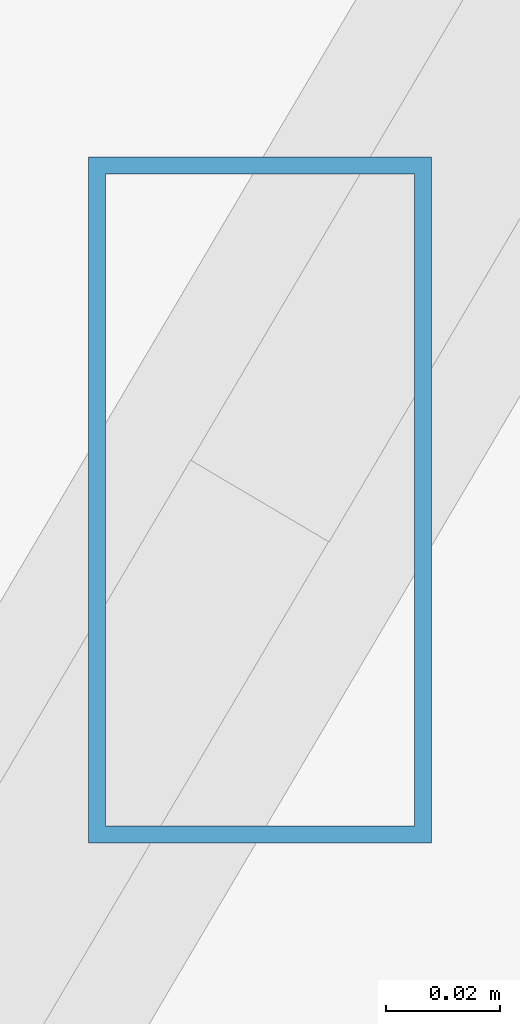
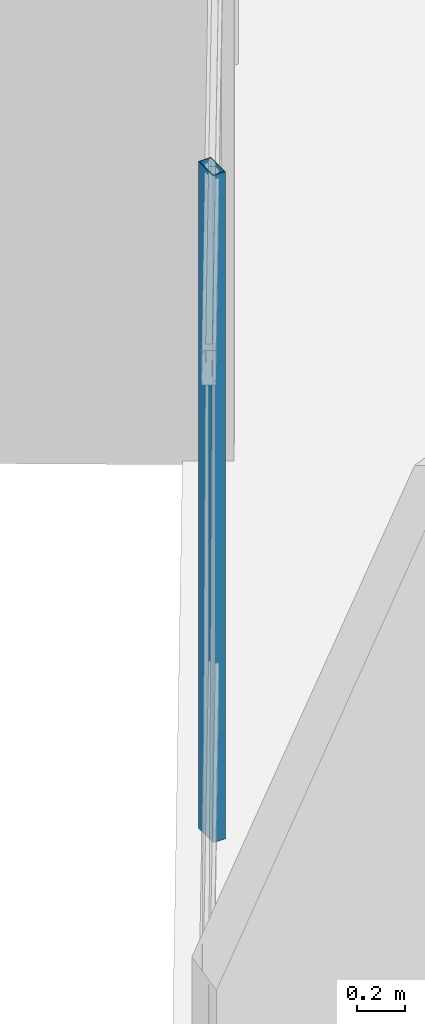
# One storey, part 7 of 47: 1 member, 1 element without a shape of its own.
"""IFC4 building model written with IfcOpenShell, lengths in metres."""

from ifc_helpers import new_model, si_unit, direction, frame, origin, origin_2d, place, context, subcontext, project, spatial, hollow_rectangle, extrude, source, transform, mapped, material, material_profile, profile_set, type_object, type_shapes, element, aggregate, save


model = new_model("IFC4")

# Units and contexts
model_context = context("Model", 3, precision=1e-05, world=origin(), true_north=direction((0.0, 1.0)))
body_context = subcontext(model_context, "Body", "Model", "MODEL_VIEW")
ifc_project = project(units=[si_unit("LENGTHUNIT", "METRE"), si_unit("AREAUNIT", "SQUARE_METRE"), si_unit("VOLUMEUNIT", "CUBIC_METRE"), si_unit("PLANEANGLEUNIT", "RADIAN"), si_unit("MASSUNIT", "GRAM", prefix="KILO")], contexts=[model_context])

# Site, building, storey
site_placement = place(None, origin())
site = spatial("IfcSite", under=ifc_project, at=site_placement, CompositionType="ELEMENT")
building_placement = place(site_placement, origin())
building = spatial("IfcBuilding", under=site, at=building_placement, Name="Caelisora Broadcast Tower", CompositionType="ELEMENT")
storey_placement = place(building_placement, frame((0.0, 0.0, 255.39990234375)))
storey = spatial("IfcBuildingStorey", under=building, at=storey_placement, Name="L67", CompositionType="ELEMENT", Elevation=255.39990234375)

# Curtain wall, member
ifc_material_1 = material(Name="Unitised Aluminium and Low-E Glass Curtain Wall", Category="glass")
curtain_wall_type = type_object("IfcCurtainWallType", Name="CW-Z5", PredefinedType="NOTDEFINED", material=ifc_material_1)
curtain_wall_placement = place(storey_placement, origin())
curtain_wall = element("IfcCurtainWall", 1, at=curtain_wall_placement, inside=storey, type_object=curtain_wall_type, Name="L67 curtain wall CW-Z5", PredefinedType="NOTDEFINED")
ifc_material_2 = material(Name="Aluminium 6063-T6 Anodised Terracotta Bronze", Category="aluminium")
ifc_material_profile = material_profile(ifc_material_2, hollow_rectangle(XDim=0.06005859375, YDim=0.1201171875, WallThickness=0.0029296875, at=origin_2d()), Name="Aluminium 6063-T6 Anodised Terracotta Bronze")
ifc_profile_set = profile_set([ifc_material_profile], Name="Aluminium 6063-T6 Anodised Terracotta Bronze")
member_type = type_object("IfcMemberType", Name="CWM-04", PredefinedType="MULLION", material=ifc_profile_set)
shared_shape = source(origin(), body_context, "Body", "SweptSolid", [
    extrude(hollow_rectangle(XDim=0.06005859375, YDim=0.1201171875, WallThickness=0.0029296875, at=origin_2d()), origin(), (0.0, 0.0, 1.0), 3.400146484375),
])
type_shapes(member_type, [shared_shape])
member_placement = place(storey_placement, frame((14.982177734375, 16.685791015625, 0.0), z_axis=(0.0, 0.0, 1.0), x_axis=(1.0, 0.0, 0.0)))
member = element("IfcMember", 2, at=member_placement, type_object=member_type, Name="L67-CW-B09 mullion #1", PredefinedType="MULLION", context=body_context, shape_type="MappedRepresentation", body=[
    mapped(shared_shape, transform((0.0, 0.0, 0.0), scale=1.0)),
])
aggregate(curtain_wall, [member])

save(model, "model.ifc")
